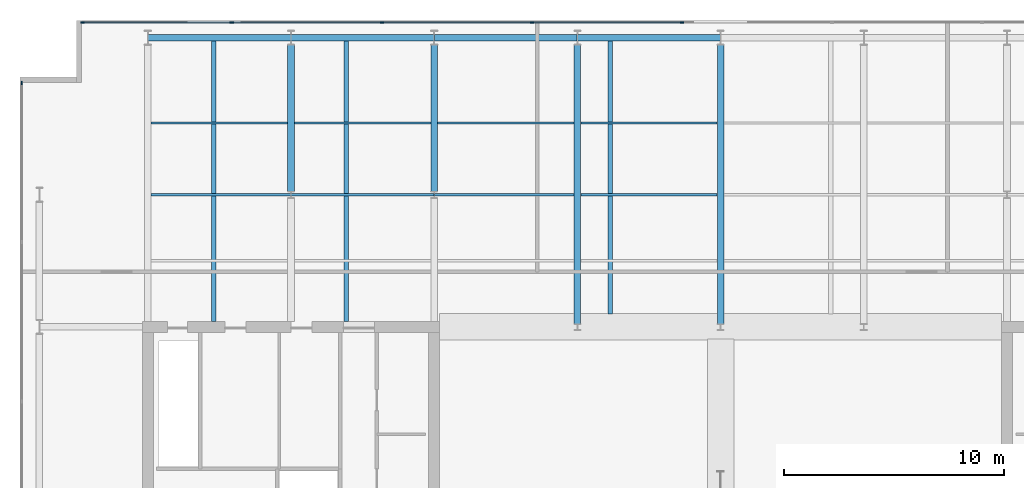
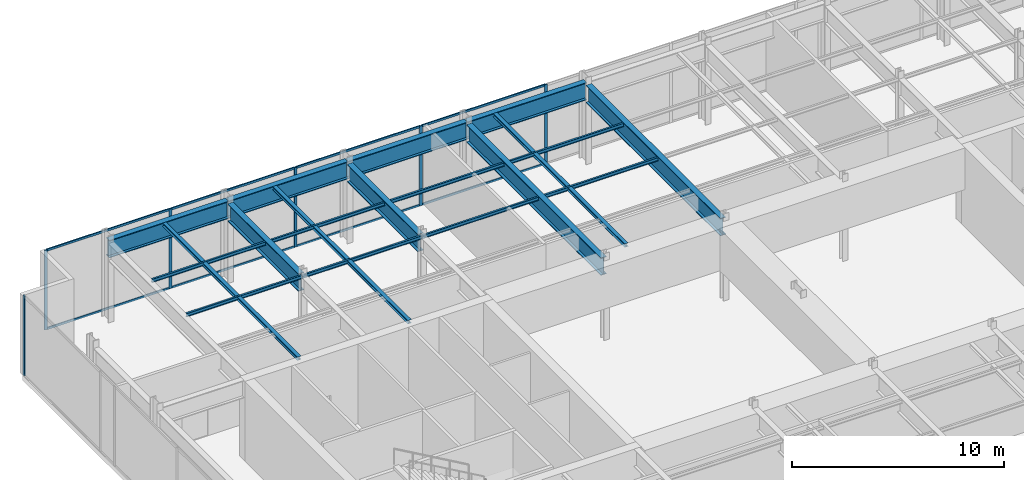
# One storey, part 11 of 21: 17 members, 16 beams, 2 elements without a shape of their own.
"""IFC4 building model written with IfcOpenShell, lengths in metres."""

from ifc_helpers import new_model, si_unit, direction, frame, origin, origin_2d, place, context, subcontext, project, spatial, rectangle, i_section, extrude, material, layer, layer_set, material_profile, profile_set, type_object, element, aggregate, save


model = new_model("IFC4")

# Units and contexts
model_context = context("Model", 3, precision=1e-05, world=origin(), true_north=direction((0.0, 1.0)))
body_context = subcontext(model_context, "Body", "Model", "MODEL_VIEW")
ifc_project = project(units=[si_unit("LENGTHUNIT", "METRE"), si_unit("AREAUNIT", "SQUARE_METRE"), si_unit("VOLUMEUNIT", "CUBIC_METRE"), si_unit("PLANEANGLEUNIT", "RADIAN"), si_unit("MASSUNIT", "GRAM", prefix="KILO")], contexts=[model_context])

# Site, building, storey
site_placement = place(None, origin())
site = spatial("IfcSite", under=ifc_project, at=site_placement, CompositionType="ELEMENT")
building_placement = place(site_placement, origin())
building = spatial("IfcBuilding", under=site, at=building_placement, Name="Putna Gate Headquarters", CompositionType="ELEMENT")
storey_placement = place(building_placement, frame((0.0, 0.0, 315.39990234375)))
storey = spatial("IfcBuildingStorey", under=building, at=storey_placement, Name="L79", CompositionType="ELEMENT", Elevation=315.39990234375)

# Beams
ifc_material_1 = material(Name="Steel S355J2", Category="steel")
ifc_material_profile_1 = material_profile(ifc_material_1, i_section(OverallWidth=0.10009765625, OverallDepth=0.199951171875, WebThickness=0.005615234375, FlangeThickness=0.008544921875, at=origin_2d()), Name="Steel S355J2")
ifc_profile_set_1 = profile_set([ifc_material_profile_1], Name="Steel S355J2")
beam_type_1 = type_object("IfcBeamType", Name="BM-SEC-PLT-IPE200", PredefinedType="JOIST", material=ifc_profile_set_1)
beam_1_placement = place(storey_placement, frame((13.155029296875, 39.0, 4.47998046875), z_axis=(1.0, 0.0, 0.0), x_axis=(0.0, 1.0, 0.0)))
element("IfcBeam", 1, at=beam_1_placement, inside=storey, type_object=beam_type_1, Name="L79 North Secondary Beam 1", PredefinedType="JOIST", context=body_context, shape_type="SweptSolid", body=[
    extrude(i_section(OverallWidth=0.10009765625, OverallDepth=0.199951171875, WebThickness=0.005615234375, FlangeThickness=0.008544921875, at=origin_2d()), origin(), (0.0, 0.0, 1.0), 6.3388671875),
])
beam_2_placement = place(storey_placement, frame((13.155029296875, 42.25, 4.47998046875), z_axis=(1.0, 0.0, 0.0), x_axis=(0.0, 1.0, 0.0)))
element("IfcBeam", 2, at=beam_2_placement, inside=storey, type_object=beam_type_1, Name="L79 North Secondary Beam 1", PredefinedType="JOIST", context=body_context, shape_type="SweptSolid", body=[
    extrude(i_section(OverallWidth=0.10009765625, OverallDepth=0.199951171875, WebThickness=0.005615234375, FlangeThickness=0.008544921875, at=origin_2d()), origin(), (0.0, 0.0, 1.0), 6.18994140625),
])
beam_3_placement = place(storey_placement, frame((19.506103515625, 39.0, 4.47998046875), z_axis=(1.0, 0.0, 0.0), x_axis=(0.0, 1.0, 0.0)))
element("IfcBeam", 3, at=beam_3_placement, inside=storey, type_object=beam_type_1, Name="L79 North Secondary Beam 2", PredefinedType="JOIST", context=body_context, shape_type="SweptSolid", body=[
    extrude(i_section(OverallWidth=0.10009765625, OverallDepth=0.199951171875, WebThickness=0.005615234375, FlangeThickness=0.008544921875, at=origin_2d()), origin(), (0.0, 0.0, 1.0), 6.48779296875),
])
beam_4_placement = place(storey_placement, frame((19.655029296875, 42.25, 4.47998046875), z_axis=(1.0, 0.0, 0.0), x_axis=(0.0, 1.0, 0.0)))
element("IfcBeam", 4, at=beam_4_placement, inside=storey, type_object=beam_type_1, Name="L79 North Secondary Beam 2", PredefinedType="JOIST", context=body_context, shape_type="SweptSolid", body=[
    extrude(i_section(OverallWidth=0.10009765625, OverallDepth=0.199951171875, WebThickness=0.005615234375, FlangeThickness=0.008544921875, at=origin_2d()), origin(), (0.0, 0.0, 1.0), 6.18994140625),
])
beam_5_placement = place(storey_placement, frame((26.006103515625, 39.0, 4.47998046875), z_axis=(1.0, 0.0, 0.0), x_axis=(0.0, 1.0, 0.0)))
element("IfcBeam", 5, at=beam_5_placement, inside=storey, type_object=beam_type_1, Name="L79 North Secondary Beam 3", PredefinedType="JOIST", context=body_context, shape_type="SweptSolid", body=[
    extrude(i_section(OverallWidth=0.10009765625, OverallDepth=0.199951171875, WebThickness=0.005615234375, FlangeThickness=0.008544921875, at=origin_2d()), origin(), (0.0, 0.0, 1.0), 6.3388671875),
])
for number, where, z_axis, x_axis, name in (
    (6, (26.155029296875, 42.25, 4.47998046875), (1.0, 0.0, 0.0), (0.0, 1.0, 0.0), "L79 North Secondary Beam 3"),
    (7, (32.655029296875, 39.0, 4.47998046875), (1.0, 0.0, 0.0), (0.0, 1.0, 0.0), "L79 North Secondary Beam 4"),
    (8, (32.655029296875, 42.25, 4.47998046875), (1.0, 0.0, 0.0), (0.0, 1.0, 0.0), "L79 North Secondary Beam 4"),
):
    element("IfcBeam", number, at=place(storey_placement, frame(where, z_axis=z_axis, x_axis=x_axis)), inside=storey, type_object=beam_type_1, Name=name, PredefinedType="JOIST", context=body_context, shape_type="SweptSolid", body=[
        extrude(i_section(OverallWidth=0.10009765625, OverallDepth=0.199951171875, WebThickness=0.005615234375, FlangeThickness=0.008544921875, at=origin_2d()), origin(), (0.0, 0.0, 1.0), 6.18994140625),
    ])
ifc_material_2 = material(Name="Steel S460M", Category="steel")
ifc_material_profile_2 = material_profile(ifc_material_2, i_section(OverallWidth=0.302001953125, OverallDepth=1.008056640625, WebThickness=0.02099609375, FlangeThickness=0.0400390625, at=origin_2d()), Name="Steel S460M")
ifc_profile_set_2 = profile_set([ifc_material_profile_2], Name="Steel S460M")
beam_type_2 = type_object("IfcBeamType", Name="BM-TG-HEM1000", PredefinedType="USERDEFINED", material=ifc_profile_set_2)
for number, where, z_axis, x_axis, name in (
    (9, (19.5, 39.137939453125, 4.076171875), (0.0, 1.0, 0.0), (-1.0, 0.0, 0.0), "L79 North Primary Girder X19-2"),
    (10, (26.0, 39.137939453125, 4.076171875), (0.0, 1.0, 0.0), (-1.0, 0.0, 0.0), "L79 North Primary Girder X26-2"),
):
    element("IfcBeam", number, at=place(storey_placement, frame(where, z_axis=z_axis, x_axis=x_axis)), inside=storey, type_object=beam_type_2, Name=name, ObjectType="GIRDER", PredefinedType="USERDEFINED", context=body_context, shape_type="SweptSolid", body=[
        extrude(i_section(OverallWidth=0.302001953125, OverallDepth=1.008056640625, WebThickness=0.02099609375, FlangeThickness=0.0400390625, at=origin_2d()), origin(), (0.0, 0.0, 1.0), 6.66015625),
    ])
for number, where, z_axis, x_axis, name in (
    (11, (32.5, 33.137939453125, 4.076171875), (0.0, 1.0, 0.0), (-1.0, 0.0, 0.0), "L79 North Primary Girder X32"),
    (12, (39.0, 33.137939453125, 4.076171875), (0.0, 1.0, 0.0), (-1.0, 0.0, 0.0), "L79 North Primary Girder X39"),
):
    element("IfcBeam", number, at=place(storey_placement, frame(where, z_axis=z_axis, x_axis=x_axis)), inside=storey, type_object=beam_type_2, Name=name, ObjectType="GIRDER", PredefinedType="USERDEFINED", context=body_context, shape_type="SweptSolid", body=[
        extrude(i_section(OverallWidth=0.302001953125, OverallDepth=1.008056640625, WebThickness=0.02099609375, FlangeThickness=0.0400390625, at=origin_2d()), origin(), (0.0, 0.0, 1.0), 12.66015625),
    ])
ifc_material_profile_3 = material_profile(ifc_material_2, i_section(OverallWidth=0.302001953125, OverallDepth=1.008056640625, WebThickness=0.02099609375, FlangeThickness=0.0400390625, at=origin_2d()), Name="Steel S460M")
ifc_profile_set_3 = profile_set([ifc_material_profile_3], Name="Steel S460M")
beam_type_3 = type_object("IfcBeamType", Name="BM-TG-HEM1000-EXT", PredefinedType="USERDEFINED", material=ifc_profile_set_3)
for number, where, z_axis, x_axis, name in (
    (13, (13.006103515625, 46.1201171875, 4.076171875), (1.0, 0.0, 0.0), (0.0, 1.0, 0.0), "L79 N Perimeter Spandrel 1"),
    (14, (19.506103515625, 46.1201171875, 4.076171875), (1.0, 0.0, 0.0), (0.0, 1.0, 0.0), "L79 N Perimeter Spandrel 2"),
    (15, (26.006103515625, 46.1201171875, 4.076171875), (1.0, 0.0, 0.0), (0.0, 1.0, 0.0), "L79 N Perimeter Spandrel 3"),
    (16, (32.506103515625, 46.1201171875, 4.076171875), (1.0, 0.0, 0.0), (0.0, 1.0, 0.0), "L79 N Perimeter Spandrel 4"),
):
    element("IfcBeam", number, at=place(storey_placement, frame(where, z_axis=z_axis, x_axis=x_axis)), inside=storey, type_object=beam_type_3, Name=name, ObjectType="GIRDER", PredefinedType="USERDEFINED", context=body_context, shape_type="SweptSolid", body=[
        extrude(i_section(OverallWidth=0.302001953125, OverallDepth=1.008056640625, WebThickness=0.02099609375, FlangeThickness=0.0400390625, at=origin_2d()), origin(), (0.0, 0.0, 1.0), 6.48779296875),
    ])

# Members
ifc_material_profile_4 = material_profile(ifc_material_1, i_section(OverallWidth=0.199951171875, OverallDepth=0.199951171875, WebThickness=0.009033203125, FlangeThickness=0.014892578125, at=origin_2d()), Name="Steel S355J2")
ifc_profile_set_4 = profile_set([ifc_material_profile_4], Name="Steel S355J2")
member_type_1 = type_object("IfcMemberType", Name="MEM-ROOF-PURLIN-HEB200", PredefinedType="PURLIN", material=ifc_profile_set_4)
for number, where, z_axis, x_axis, name in (
    (17, (16.0, 33.239990234375, 4.47998046875), (0.0, 1.0, 0.0), (-1.0, 0.0, 0.0), "Crown Roof North Purlin RP-1 1"),
    (18, (22.0, 33.239990234375, 4.47998046875), (0.0, 1.0, 0.0), (-1.0, 0.0, 0.0), "Crown Roof North Purlin RP-1 2"),
):
    element("IfcMember", number, at=place(storey_placement, frame(where, z_axis=z_axis, x_axis=x_axis)), inside=storey, type_object=member_type_1, Name=name, PredefinedType="PURLIN", context=body_context, shape_type="SweptSolid", body=[
        extrude(i_section(OverallWidth=0.199951171875, OverallDepth=0.199951171875, WebThickness=0.009033203125, FlangeThickness=0.014892578125, at=origin_2d()), origin(), (0.0, 0.0, 1.0), 12.760009765625),
    ])
member_1_placement = place(storey_placement, frame((34.0, 33.580078125, 4.47998046875), z_axis=(0.0, 1.0, 0.0), x_axis=(-1.0, 0.0, 0.0)))
element("IfcMember", 19, at=member_1_placement, inside=storey, type_object=member_type_1, Name="Crown Roof North Purlin RP-1 3", PredefinedType="PURLIN", context=body_context, shape_type="SweptSolid", body=[
    extrude(i_section(OverallWidth=0.199951171875, OverallDepth=0.199951171875, WebThickness=0.009033203125, FlangeThickness=0.014892578125, at=origin_2d()), origin(), (0.0, 0.0, 1.0), 12.419921875),
])

# Curtain wall, members
ifc_material_3 = material(Name="Anodised bronze aluminium curtain wall", Category="aluminium")
ifc_layer = layer(ifc_material_3, 0.159912109375)
ifc_layer_set = layer_set([ifc_layer], Name="Anodised bronze aluminium curtain wall")
curtain_wall_type = type_object("IfcCurtainWallType", Name="CW-SYS-CRN", PredefinedType="USERDEFINED", material=ifc_layer_set)
curtain_wall_1_placement = place(storey_placement, origin())
curtain_wall_1 = element("IfcCurtainWall", 20, at=curtain_wall_1_placement, inside=storey, type_object=curtain_wall_type, Name="L79 Acoustic Louvre North Enclosure", ObjectType="STICK CURTAIN WALL", PredefinedType="USERDEFINED")
ifc_material_4 = material(Name="Anodised bronze aluminium EN AW-6060", Category="aluminium")
ifc_material_profile_5 = material_profile(ifc_material_4, rectangle(XDim=0.06494140625, YDim=0.159912109375, at=origin_2d()), Name="Anodised bronze aluminium EN AW-6060")
ifc_profile_set_5 = profile_set([ifc_material_profile_5], Name="Anodised bronze aluminium EN AW-6060")
member_type_2 = type_object("IfcMemberType", Name="MULL-CWM-CR", PredefinedType="MULLION", material=ifc_profile_set_5)
member_2_placement = place(storey_placement, frame((10.032470703125, 46.820068359375, 0.0), z_axis=(0.0, 0.0, 1.0), x_axis=(0.0, 1.0, 0.0)))
member_2 = element("IfcMember", 21, at=member_2_placement, type_object=member_type_2, Name="CWS-CR mullion 1", PredefinedType="MULLION", context=body_context, shape_type="SweptSolid", body=[
    extrude(rectangle(XDim=0.06494140625, YDim=0.159912109375, at=origin_2d()), origin(), (0.0, 0.0, 1.0), 4.580078125),
])
member_3_placement = place(storey_placement, frame((16.81103515625, 46.820068359375, 0.0), z_axis=(0.0, 0.0, 1.0), x_axis=(0.0, 1.0, 0.0)))
member_3 = element("IfcMember", 22, at=member_3_placement, type_object=member_type_2, Name="CWS-CR mullion 2", PredefinedType="MULLION", context=body_context, shape_type="SweptSolid", body=[
    extrude(rectangle(XDim=0.06494140625, YDim=0.159912109375, at=origin_2d()), origin(), (0.0, 0.0, 1.0), 4.580078125),
])
member_4_placement = place(storey_placement, frame((23.622314453125, 46.820068359375, 0.0), z_axis=(0.0, 0.0, 1.0), x_axis=(0.0, 1.0, 0.0)))
member_4 = element("IfcMember", 23, at=member_4_placement, type_object=member_type_2, Name="CWS-CR mullion 3", PredefinedType="MULLION", context=body_context, shape_type="SweptSolid", body=[
    extrude(rectangle(XDim=0.06494140625, YDim=0.159912109375, at=origin_2d()), origin(), (0.0, 0.0, 1.0), 4.580078125),
])
member_5_placement = place(storey_placement, frame((30.433349609375, 46.820068359375, 0.0), z_axis=(0.0, 0.0, 1.0), x_axis=(0.0, 1.0, 0.0)))
member_5 = element("IfcMember", 24, at=member_5_placement, type_object=member_type_2, Name="CWS-CR mullion 4", PredefinedType="MULLION", context=body_context, shape_type="SweptSolid", body=[
    extrude(rectangle(XDim=0.06494140625, YDim=0.159912109375, at=origin_2d()), origin(), (0.0, 0.0, 1.0), 4.580078125),
])
member_6_placement = place(storey_placement, frame((37.244384765625, 46.820068359375, 0.0), z_axis=(0.0, 0.0, 1.0), x_axis=(0.0, 1.0, 0.0)))
member_6 = element("IfcMember", 25, at=member_6_placement, type_object=member_type_2, Name="CWS-CR mullion 5", PredefinedType="MULLION", context=body_context, shape_type="SweptSolid", body=[
    extrude(rectangle(XDim=0.06494140625, YDim=0.159912109375, at=origin_2d()), origin(), (0.0, 0.0, 1.0), 4.580078125),
])

# Curtain wall, member
curtain_wall_2_placement = place(storey_placement, origin())
curtain_wall_2 = element("IfcCurtainWall", 26, at=curtain_wall_2_placement, inside=storey, type_object=curtain_wall_type, Name="L79 Acoustic Louvre West Enclosure", ObjectType="STICK CURTAIN WALL", PredefinedType="USERDEFINED")
member_7_placement = place(storey_placement, frame((7.280029296875, 44.0673828125, 0.0), z_axis=(0.0, 0.0, 1.0), x_axis=(-1.0, 0.0, 0.0)))
member_7 = element("IfcMember", 27, at=member_7_placement, type_object=member_type_2, Name="CWS-CR mullion 6", PredefinedType="MULLION", context=body_context, shape_type="SweptSolid", body=[
    extrude(rectangle(XDim=0.06494140625, YDim=0.159912109375, at=origin_2d()), origin(), (0.0, 0.0, 1.0), 4.580078125),
])
aggregate(curtain_wall_2, [member_7])

# Member
ifc_material_profile_6 = material_profile(ifc_material_4, rectangle(XDim=0.06494140625, YDim=0.1201171875, at=origin_2d()), Name="Anodised bronze aluminium EN AW-6060")
ifc_profile_set_6 = profile_set([ifc_material_profile_6], Name="Anodised bronze aluminium EN AW-6060")
member_type_3 = type_object("IfcMemberType", Name="TRAN-CWT-CR", PredefinedType="USERDEFINED", material=ifc_profile_set_6)
member_8_placement = place(storey_placement, frame((10.06494140625, 46.820068359375, 0.03271484375), z_axis=(1.0, 0.0, 0.0), x_axis=(0.0, 1.0, 0.0)))
member_8 = element("IfcMember", 28, at=member_8_placement, type_object=member_type_3, Name="CWS-CR transom 1.1", ObjectType="TRANSOM", PredefinedType="USERDEFINED", context=body_context, shape_type="SweptSolid", body=[
    extrude(rectangle(XDim=0.06494140625, YDim=0.1201171875, at=origin_2d()), origin(), (0.0, 0.0, 1.0), 6.713623046875),
])

member_9_placement = place(storey_placement, frame((10.06494140625, 46.820068359375, 4.547607421875), z_axis=(1.0, 0.0, 0.0), x_axis=(0.0, 1.0, 0.0)))
member_9 = element("IfcMember", 29, at=member_9_placement, type_object=member_type_3, Name="CWS-CR transom 1.2", ObjectType="TRANSOM", PredefinedType="USERDEFINED", context=body_context, shape_type="SweptSolid", body=[
    extrude(rectangle(XDim=0.06494140625, YDim=0.1201171875, at=origin_2d()), origin(), (0.0, 0.0, 1.0), 6.713623046875),
])

member_10_placement = place(storey_placement, frame((16.843505859375, 46.820068359375, 0.03271484375), z_axis=(1.0, 0.0, 0.0), x_axis=(0.0, 1.0, 0.0)))
member_10 = element("IfcMember", 30, at=member_10_placement, type_object=member_type_3, Name="CWS-CR transom 2.1", ObjectType="TRANSOM", PredefinedType="USERDEFINED", context=body_context, shape_type="SweptSolid", body=[
    extrude(rectangle(XDim=0.06494140625, YDim=0.1201171875, at=origin_2d()), origin(), (0.0, 0.0, 1.0), 6.746337890625),
])

member_11_placement = place(storey_placement, frame((16.843505859375, 46.820068359375, 4.547607421875), z_axis=(1.0, 0.0, 0.0), x_axis=(0.0, 1.0, 0.0)))
member_11 = element("IfcMember", 31, at=member_11_placement, type_object=member_type_3, Name="CWS-CR transom 2.2", ObjectType="TRANSOM", PredefinedType="USERDEFINED", context=body_context, shape_type="SweptSolid", body=[
    extrude(rectangle(XDim=0.06494140625, YDim=0.1201171875, at=origin_2d()), origin(), (0.0, 0.0, 1.0), 6.746337890625),
])

member_12_placement = place(storey_placement, frame((23.65478515625, 46.820068359375, 0.03271484375), z_axis=(1.0, 0.0, 0.0), x_axis=(0.0, 1.0, 0.0)))
member_12 = element("IfcMember", 32, at=member_12_placement, type_object=member_type_3, Name="CWS-CR transom 3.1", ObjectType="TRANSOM", PredefinedType="USERDEFINED", context=body_context, shape_type="SweptSolid", body=[
    extrude(rectangle(XDim=0.06494140625, YDim=0.1201171875, at=origin_2d()), origin(), (0.0, 0.0, 1.0), 6.74609375),
])

member_13_placement = place(storey_placement, frame((23.65478515625, 46.820068359375, 4.547607421875), z_axis=(1.0, 0.0, 0.0), x_axis=(0.0, 1.0, 0.0)))
member_13 = element("IfcMember", 33, at=member_13_placement, type_object=member_type_3, Name="CWS-CR transom 3.2", ObjectType="TRANSOM", PredefinedType="USERDEFINED", context=body_context, shape_type="SweptSolid", body=[
    extrude(rectangle(XDim=0.06494140625, YDim=0.1201171875, at=origin_2d()), origin(), (0.0, 0.0, 1.0), 6.74609375),
])

member_14_placement = place(storey_placement, frame((30.4658203125, 46.820068359375, 0.03271484375), z_axis=(1.0, 0.0, 0.0), x_axis=(0.0, 1.0, 0.0)))
member_14 = element("IfcMember", 34, at=member_14_placement, type_object=member_type_3, Name="CWS-CR transom 4.1", ObjectType="TRANSOM", PredefinedType="USERDEFINED", context=body_context, shape_type="SweptSolid", body=[
    extrude(rectangle(XDim=0.06494140625, YDim=0.1201171875, at=origin_2d()), origin(), (0.0, 0.0, 1.0), 6.74609375),
])

member_15_placement = place(storey_placement, frame((30.4658203125, 46.820068359375, 4.547607421875), z_axis=(1.0, 0.0, 0.0), x_axis=(0.0, 1.0, 0.0)))
member_15 = element("IfcMember", 35, at=member_15_placement, type_object=member_type_3, Name="CWS-CR transom 4.2", ObjectType="TRANSOM", PredefinedType="USERDEFINED", context=body_context, shape_type="SweptSolid", body=[
    extrude(rectangle(XDim=0.06494140625, YDim=0.1201171875, at=origin_2d()), origin(), (0.0, 0.0, 1.0), 6.74609375),
])

aggregate(curtain_wall_1, [member_2, member_3, member_4, member_5, member_6, member_8, member_9, member_10, member_11, member_12, member_13, member_14, member_15])

save(model, "model.ifc")
